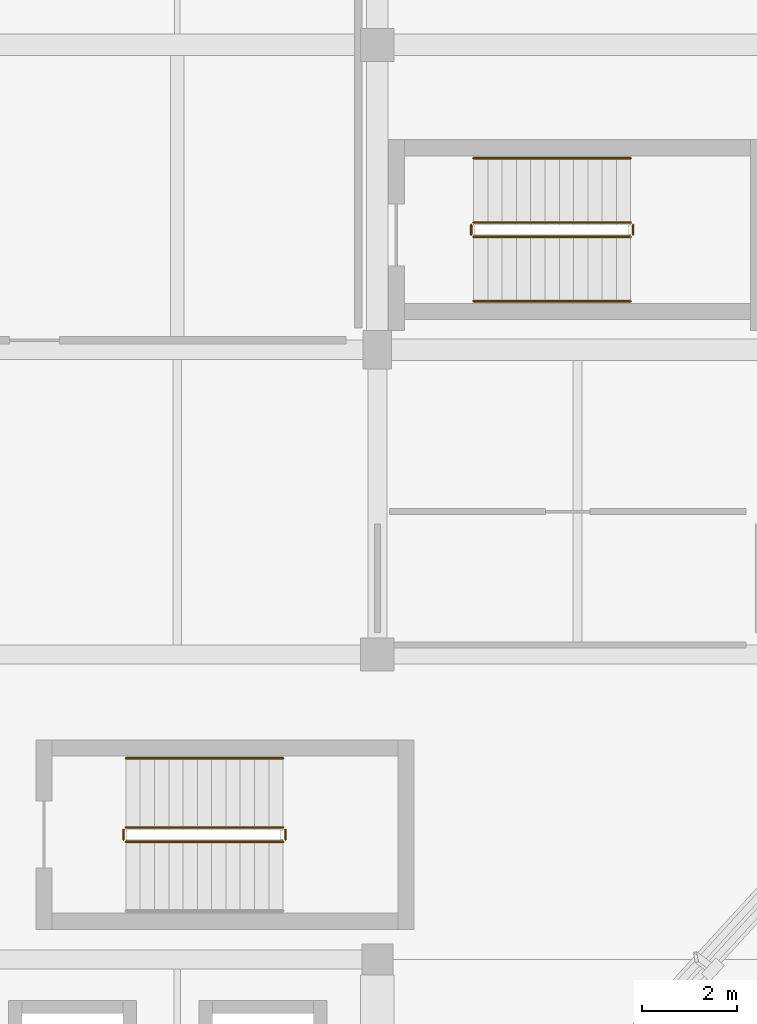
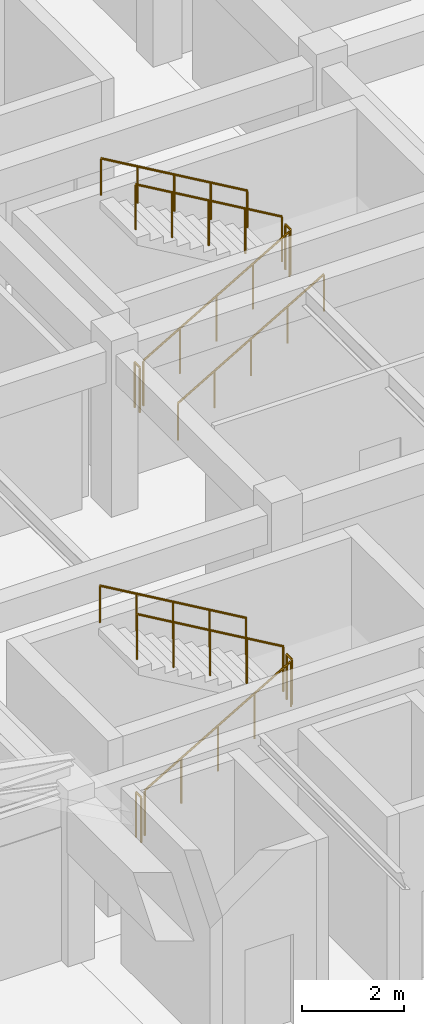
# One storey, part 72 of 74: 11 railings.
"""IFC4 building model written with IfcOpenShell, lengths in metres."""

from ifc_helpers import new_model, si_unit, direction, frame, origin, origin_2d, place, context, subcontext, project, spatial, circle, extrude, material, type_object, element, save


model = new_model("IFC4")

# Units and contexts
model_context = context("Model", 3, precision=1e-05, world=origin(), true_north=direction((0.0, 1.0)))
body_context = subcontext(model_context, "Body", "Model", "MODEL_VIEW")
ifc_project = project(units=[si_unit("LENGTHUNIT", "METRE"), si_unit("AREAUNIT", "SQUARE_METRE"), si_unit("VOLUMEUNIT", "CUBIC_METRE"), si_unit("PLANEANGLEUNIT", "RADIAN"), si_unit("MASSUNIT", "GRAM", prefix="KILO")], contexts=[model_context])

# Site, building, storey
site_placement = place(None, origin())
site = spatial("IfcSite", under=ifc_project, at=site_placement, CompositionType="ELEMENT")
building_placement = place(site_placement, origin())
building = spatial("IfcBuilding", under=site, at=building_placement, Name="Korsvaeld Concert Hall", CompositionType="ELEMENT")
storey_placement = place(building_placement, frame((0.0, 0.0, 9.0)))
storey = spatial("IfcBuildingStorey", under=building, at=storey_placement, Name="L02", CompositionType="ELEMENT", Elevation=9.0)

# Railings
ifc_material_1 = material(Name="Powder-coated steel and bronze stair guardrail", Category="steel")
railing_type_1 = type_object("IfcRailingType", Name="RL-STAIR-GUARD-120", PredefinedType="GUARDRAIL", material=ifc_material_1)
railing_1_placement = place(storey_placement, frame((53.52001953125, 79.27001953125, 0.175048828125)))
element("IfcRailing", 1, at=railing_1_placement, inside=storey, type_object=railing_type_1, Name="L02 ST-K1 stair guard 1", PredefinedType="GUARDRAIL", context=body_context, shape_type="SweptSolid", body=[
    extrude(circle(Radius=0.02392578125, at=origin_2d()), frame((0.0, 0.0, 1.076171875), z_axis=(0.863776583165, 0.0, 0.503874998761), x_axis=(0.0, 1.0, 0.0)), (0.0, 0.0, 1.0), 3.820556640625),
    extrude(circle(Radius=0.02099609375, at=origin_2d()), origin(), (0.0, 0.0, 1.0), 1.052001953125),
    extrude(circle(Radius=0.02099609375, at=origin_2d()), frame((0.824951171875, 0.0, 0.481201171875)), (0.0, 0.0, 1.0), 1.052001953125),
    extrude(circle(Radius=0.02099609375, at=origin_2d()), frame((1.64990234375, 0.0, 0.96240234375)), (0.0, 0.0, 1.0), 1.052001953125),
    extrude(circle(Radius=0.02099609375, at=origin_2d()), frame((2.47509765625, 0.0, 1.44384765625)), (0.0, 0.0, 1.0), 1.052001953125),
    extrude(circle(Radius=0.02099609375, at=origin_2d()), frame((3.300048828125, 0.0, 1.925048828125)), (0.0, 0.0, 1.0), 1.052001953125),
])
railing_2_placement = place(storey_placement, frame((56.8701171875, 79.320068359375, 2.10009765625)))
element("IfcRailing", 2, at=railing_2_placement, inside=storey, type_object=railing_type_1, Name="L02 ST-K1 stair guard 2", PredefinedType="GUARDRAIL", context=body_context, shape_type="SweptSolid", body=[
    extrude(circle(Radius=0.02392578125, at=origin_2d()), frame((0.0, 0.0, 1.076171875), z_axis=(0.0, 1.0, 0.0), x_axis=(-1.0, 0.0, 0.0)), (0.0, 0.0, 1.0), 0.199951171875),
    extrude(circle(Radius=0.02099609375, at=origin_2d()), origin(), (0.0, 0.0, 1.0), 1.052001953125),
    extrude(circle(Radius=0.02099609375, at=origin_2d()), frame((0.0, 0.199951171875, 0.0)), (0.0, 0.0, 1.0), 1.052001953125),
])
railing_3_placement = place(storey_placement, frame((56.820068359375, 79.570068359375, 2.27490234375)))
element("IfcRailing", 3, at=railing_3_placement, inside=storey, type_object=railing_type_1, Name="L02 ST-K1 stair guard 3", PredefinedType="GUARDRAIL", context=body_context, shape_type="SweptSolid", body=[
    extrude(circle(Radius=0.02392578125, at=origin_2d()), frame((0.0, 0.0, 1.076171875), z_axis=(-0.863776583165, 0.0, 0.503874998761), x_axis=(0.0, -1.0, 0.0)), (0.0, 0.0, 1.0), 3.820556640625),
    extrude(circle(Radius=0.02099609375, at=origin_2d()), origin(), (0.0, 0.0, 1.0), 1.052001953125),
    extrude(circle(Radius=0.02099609375, at=origin_2d()), frame((-0.824951171875, 0.0, 0.481201171875)), (0.0, 0.0, 1.0), 1.052001953125),
    extrude(circle(Radius=0.02099609375, at=origin_2d()), frame((-1.64990234375, 0.0, 0.96240234375)), (0.0, 0.0, 1.0), 1.052001953125),
    extrude(circle(Radius=0.02099609375, at=origin_2d()), frame((-2.47509765625, 0.0, 1.44384765625)), (0.0, 0.0, 1.0), 1.052001953125),
    extrude(circle(Radius=0.02099609375, at=origin_2d()), frame((-3.300048828125, 0.0, 1.925048828125)), (0.0, 0.0, 1.0), 1.052001953125),
])
railing_4_placement = place(storey_placement, frame((53.469970703125, 79.320068359375, 0.0)))
element("IfcRailing", 4, at=railing_4_placement, inside=storey, type_object=railing_type_1, Name="L02 ST-K1 stair guard 4", PredefinedType="GUARDRAIL", context=body_context, shape_type="SweptSolid", body=[
    extrude(circle(Radius=0.02392578125, at=origin_2d()), frame((0.0, 0.0, 1.076171875), z_axis=(0.0, 1.0, 0.0), x_axis=(-1.0, 0.0, 0.0)), (0.0, 0.0, 1.0), 0.199951171875),
    extrude(circle(Radius=0.02099609375, at=origin_2d()), origin(), (0.0, 0.0, 1.0), 1.052001953125),
    extrude(circle(Radius=0.02099609375, at=origin_2d()), frame((0.0, 0.199951171875, 0.0)), (0.0, 0.0, 1.0), 1.052001953125),
])
railing_5_placement = place(storey_placement, frame((60.820068359375, 91.969970703125, 0.175048828125)))
element("IfcRailing", 5, at=railing_5_placement, inside=storey, type_object=railing_type_1, Name="L02 ST-K5 stair guard 1", PredefinedType="GUARDRAIL", context=body_context, shape_type="SweptSolid", body=[
    extrude(circle(Radius=0.02392578125, at=origin_2d()), frame((0.0, 0.0, 1.076171875), z_axis=(0.863776583165, 0.0, 0.503874998761), x_axis=(0.0, 1.0, 0.0)), (0.0, 0.0, 1.0), 3.820556640625),
    extrude(circle(Radius=0.02099609375, at=origin_2d()), origin(), (0.0, 0.0, 1.0), 1.052001953125),
    extrude(circle(Radius=0.02099609375, at=origin_2d()), frame((0.824951171875, 0.0, 0.481201171875)), (0.0, 0.0, 1.0), 1.052001953125),
    extrude(circle(Radius=0.02099609375, at=origin_2d()), frame((1.64990234375, 0.0, 0.96240234375)), (0.0, 0.0, 1.0), 1.052001953125),
    extrude(circle(Radius=0.02099609375, at=origin_2d()), frame((2.47509765625, 0.0, 1.44384765625)), (0.0, 0.0, 1.0), 1.052001953125),
    extrude(circle(Radius=0.02099609375, at=origin_2d()), frame((3.300048828125, 0.0, 1.925048828125)), (0.0, 0.0, 1.0), 1.052001953125),
])
railing_6_placement = place(storey_placement, frame((64.169921875, 92.02001953125, 2.10009765625)))
element("IfcRailing", 6, at=railing_6_placement, inside=storey, type_object=railing_type_1, Name="L02 ST-K5 stair guard 2", PredefinedType="GUARDRAIL", context=body_context, shape_type="SweptSolid", body=[
    extrude(circle(Radius=0.02392578125, at=origin_2d()), frame((0.0, 0.0, 1.076171875), z_axis=(0.0, 1.0, 0.0), x_axis=(-1.0, 0.0, 0.0)), (0.0, 0.0, 1.0), 0.199951171875),
    extrude(circle(Radius=0.02099609375, at=origin_2d()), origin(), (0.0, 0.0, 1.0), 1.052001953125),
    extrude(circle(Radius=0.02099609375, at=origin_2d()), frame((0.0, 0.199951171875, 0.0)), (0.0, 0.0, 1.0), 1.052001953125),
])
railing_7_placement = place(storey_placement, frame((64.1201171875, 92.27001953125, 2.27490234375)))
element("IfcRailing", 7, at=railing_7_placement, inside=storey, type_object=railing_type_1, Name="L02 ST-K5 stair guard 3", PredefinedType="GUARDRAIL", context=body_context, shape_type="SweptSolid", body=[
    extrude(circle(Radius=0.02392578125, at=origin_2d()), frame((0.0, 0.0, 1.076171875), z_axis=(-0.863776583165, 0.0, 0.503874998761), x_axis=(0.0, -1.0, 0.0)), (0.0, 0.0, 1.0), 3.820556640625),
    extrude(circle(Radius=0.02099609375, at=origin_2d()), origin(), (0.0, 0.0, 1.0), 1.052001953125),
    extrude(circle(Radius=0.02099609375, at=origin_2d()), frame((-0.824951171875, 0.0, 0.481201171875)), (0.0, 0.0, 1.0), 1.052001953125),
    extrude(circle(Radius=0.02099609375, at=origin_2d()), frame((-1.64990234375, 0.0, 0.96240234375)), (0.0, 0.0, 1.0), 1.052001953125),
    extrude(circle(Radius=0.02099609375, at=origin_2d()), frame((-2.47509765625, 0.0, 1.44384765625)), (0.0, 0.0, 1.0), 1.052001953125),
    extrude(circle(Radius=0.02099609375, at=origin_2d()), frame((-3.300048828125, 0.0, 1.925048828125)), (0.0, 0.0, 1.0), 1.052001953125),
])
railing_8_placement = place(storey_placement, frame((60.77001953125, 92.02001953125, 0.0)))
element("IfcRailing", 8, at=railing_8_placement, inside=storey, type_object=railing_type_1, Name="L02 ST-K5 stair guard 4", PredefinedType="GUARDRAIL", context=body_context, shape_type="SweptSolid", body=[
    extrude(circle(Radius=0.02392578125, at=origin_2d()), frame((0.0, 0.0, 1.076171875), z_axis=(0.0, 1.0, 0.0), x_axis=(-1.0, 0.0, 0.0)), (0.0, 0.0, 1.0), 0.199951171875),
    extrude(circle(Radius=0.02099609375, at=origin_2d()), origin(), (0.0, 0.0, 1.0), 1.052001953125),
    extrude(circle(Radius=0.02099609375, at=origin_2d()), frame((0.0, 0.199951171875, 0.0)), (0.0, 0.0, 1.0), 1.052001953125),
])
ifc_material_2 = material(Name="European oak and bronze stair handrail")
railing_type_2 = type_object("IfcRailingType", Name="RL-STAIR-HAND-90", PredefinedType="HANDRAIL", material=ifc_material_2)
railing_9_placement = place(storey_placement, frame((56.820068359375, 81.02001953125, 2.27490234375)))
element("IfcRailing", 9, at=railing_9_placement, inside=storey, type_object=railing_type_2, Name="L02 ST-K1 stair handrail 2", PredefinedType="HANDRAIL", context=body_context, shape_type="SweptSolid", body=[
    extrude(circle(Radius=0.02392578125, at=origin_2d()), frame((0.0, 0.0, 0.8759765625), z_axis=(-0.863776583165, 0.0, 0.503874998761), x_axis=(0.0, -1.0, 0.0)), (0.0, 0.0, 1.0), 3.820556640625),
    extrude(circle(Radius=0.02099609375, at=origin_2d()), origin(), (0.0, 0.0, 1.0), 0.851806640625),
    extrude(circle(Radius=0.02099609375, at=origin_2d()), frame((-0.824951171875, 0.0, 0.481201171875)), (0.0, 0.0, 1.0), 0.851806640625),
    extrude(circle(Radius=0.02099609375, at=origin_2d()), frame((-1.64990234375, 0.0, 0.96240234375)), (0.0, 0.0, 1.0), 0.851806640625),
    extrude(circle(Radius=0.02099609375, at=origin_2d()), frame((-2.47509765625, 0.0, 1.44384765625)), (0.0, 0.0, 1.0), 0.851806640625),
    extrude(circle(Radius=0.02099609375, at=origin_2d()), frame((-3.300048828125, 0.0, 1.925048828125)), (0.0, 0.0, 1.0), 0.851806640625),
])
railing_10_placement = place(storey_placement, frame((60.820068359375, 90.6201171875, 0.175048828125)))
element("IfcRailing", 10, at=railing_10_placement, inside=storey, type_object=railing_type_2, Name="L02 ST-K5 stair handrail 1", PredefinedType="HANDRAIL", context=body_context, shape_type="SweptSolid", body=[
    extrude(circle(Radius=0.02392578125, at=origin_2d()), frame((0.0, 0.0, 0.8759765625), z_axis=(0.863776583165, 0.0, 0.503874998761), x_axis=(0.0, 1.0, 0.0)), (0.0, 0.0, 1.0), 3.820556640625),
    extrude(circle(Radius=0.02099609375, at=origin_2d()), origin(), (0.0, 0.0, 1.0), 0.851806640625),
    extrude(circle(Radius=0.02099609375, at=origin_2d()), frame((0.824951171875, 0.0, 0.481201171875)), (0.0, 0.0, 1.0), 0.851806640625),
    extrude(circle(Radius=0.02099609375, at=origin_2d()), frame((1.64990234375, 0.0, 0.96240234375)), (0.0, 0.0, 1.0), 0.851806640625),
    extrude(circle(Radius=0.02099609375, at=origin_2d()), frame((2.47509765625, 0.0, 1.44384765625)), (0.0, 0.0, 1.0), 0.851806640625),
    extrude(circle(Radius=0.02099609375, at=origin_2d()), frame((3.300048828125, 0.0, 1.925048828125)), (0.0, 0.0, 1.0), 0.851806640625),
])
railing_11_placement = place(storey_placement, frame((64.1201171875, 93.6201171875, 2.27490234375)))
element("IfcRailing", 11, at=railing_11_placement, inside=storey, type_object=railing_type_2, Name="L02 ST-K5 stair handrail 2", PredefinedType="HANDRAIL", context=body_context, shape_type="SweptSolid", body=[
    extrude(circle(Radius=0.02392578125, at=origin_2d()), frame((0.0, 0.0, 0.8759765625), z_axis=(-0.863776583165, 0.0, 0.503874998761), x_axis=(0.0, -1.0, 0.0)), (0.0, 0.0, 1.0), 3.820556640625),
    extrude(circle(Radius=0.02099609375, at=origin_2d()), origin(), (0.0, 0.0, 1.0), 0.851806640625),
    extrude(circle(Radius=0.02099609375, at=origin_2d()), frame((-0.824951171875, 0.0, 0.481201171875)), (0.0, 0.0, 1.0), 0.851806640625),
    extrude(circle(Radius=0.02099609375, at=origin_2d()), frame((-1.64990234375, 0.0, 0.96240234375)), (0.0, 0.0, 1.0), 0.851806640625),
    extrude(circle(Radius=0.02099609375, at=origin_2d()), frame((-2.47509765625, 0.0, 1.44384765625)), (0.0, 0.0, 1.0), 0.851806640625),
    extrude(circle(Radius=0.02099609375, at=origin_2d()), frame((-3.300048828125, 0.0, 1.925048828125)), (0.0, 0.0, 1.0), 0.851806640625),
])

save(model, "model.ifc")
